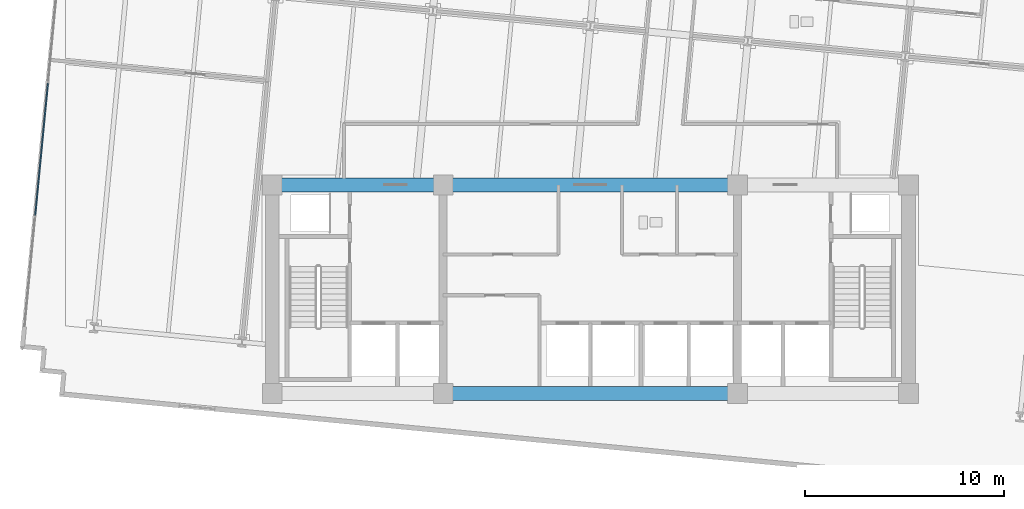
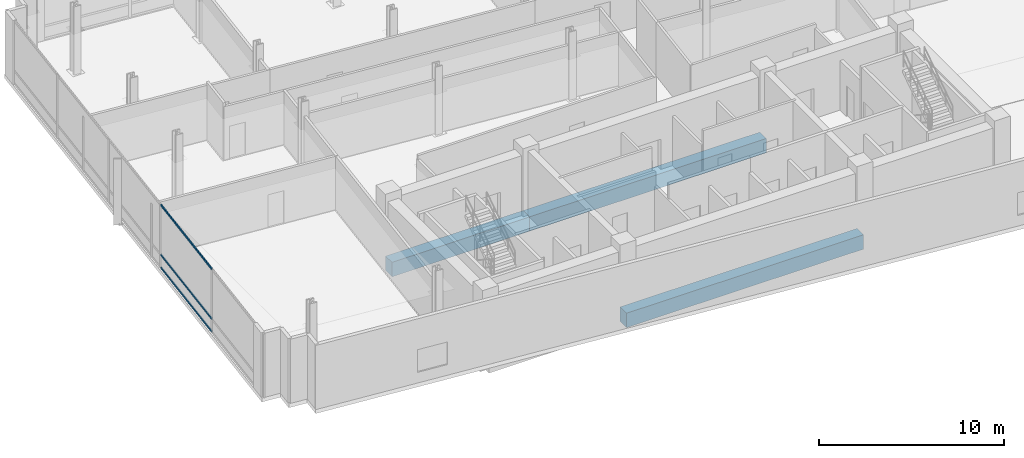
# One storey, part 3 of 17: 3 beams, 3 members, 1 element without a shape of its own.
"""IFC4 building model written with IfcOpenShell, lengths in metres."""

import ifcopenshell
import ifcopenshell.guid

model = None  # the IFC model being written
_history = None  # IfcOwnerHistory: only IFC2X3 demands one
_inside = {}  # id of a spatial element -> (the spatial element, [elements in it])
_under = {}  # id of a project, library or spatial element -> (it, [spatial elements below it])
_declared = {}  # id of a project -> (the project, [libraries it declares])
_typed = {}  # id of a type object -> (the type object, [elements of that type])
_made_of = {}  # id of a material, layer set ... -> (it, [elements and type objects made of it])


def new_model(schema):
    """Start an empty IFC model of exactly this schema.

    Asked for "IFC4X3", IfcOpenShell would pick the latest addendum, in which some entities
    have other attributes; the version numbers below select the first issue.
    IFC2X3 requires an IfcOwnerHistory on every rooted entity: one is made here for all.
    """
    global model, _history
    if schema == "IFC4X3":
        model = ifcopenshell.file(schema_version=(4, 3, 0, 0))
    else:
        model = ifcopenshell.file(schema=schema)
    _inside.clear()
    _under.clear()
    _declared.clear()
    _typed.clear()
    _made_of.clear()
    _history = None
    if model.schema == "IFC2X3":
        org = make("IfcOrganization", Name="unknown")
        user = make(
            "IfcPersonAndOrganization",
            ThePerson=make("IfcPerson", FamilyName="unknown"),
            TheOrganization=org,
        )
        app = make(
            "IfcApplication",
            ApplicationDeveloper=org,
            Version="unknown",
            ApplicationFullName="unknown",
            ApplicationIdentifier="unknown",
        )
        _history = make(
            "IfcOwnerHistory",
            OwningUser=user,
            OwningApplication=app,
            ChangeAction="ADDED",
            CreationDate=0,
        )
    return model


def make(cls, **values):
    """One entity of the class cls with the attributes given. An attribute that is None is left unset."""
    return model.create_entity(
        cls, **{name: value for name, value in values.items() if value is not None}
    )


def rooted(cls, **values):
    """An entity with a GlobalId (a new one), such as an element, a storey or a relation."""
    return make(cls, GlobalId=ifcopenshell.guid.new(), OwnerHistory=_history, **values)


def si_unit(unit_type, name, prefix=None):
    """IfcSIUnit, for example si_unit("LENGTHUNIT", "METRE", prefix="MILLI")."""
    return make("IfcSIUnit", UnitType=unit_type, Prefix=prefix, Name=name)


def assignment(units):
    """IfcUnitAssignment: the units of a project."""
    return None if units is None else make("IfcUnitAssignment", Units=units)


def point(xyz):
    """IfcCartesianPoint."""
    return None if xyz is None else make("IfcCartesianPoint", Coordinates=xyz)


def direction(xyz):
    """IfcDirection."""
    return None if xyz is None else make("IfcDirection", DirectionRatios=xyz)


def frame(location, z_axis=None, x_axis=None):
    """IfcAxis2Placement3D, a coordinate frame: its origin and axes. An axis left out is left unset."""
    return make(
        "IfcAxis2Placement3D",
        Location=point(location),
        Axis=direction(z_axis),
        RefDirection=direction(x_axis),
    )


def frame_2d(location, x_axis=None):
    """IfcAxis2Placement2D, a coordinate frame in the plane: its origin and x axis."""
    return make(
        "IfcAxis2Placement2D", Location=point(location), RefDirection=direction(x_axis)
    )


def origin():
    """The frame at (0, 0, 0) with its axes left unset."""
    return frame((0.0, 0.0, 0.0))


def origin_2d():
    """The frame at (0, 0) in the plane with its x axis left unset."""
    return frame_2d((0.0, 0.0))


def place(relative_to, where):
    """IfcLocalPlacement: puts the frame where relative to a parent placement (None: the world)."""
    return make(
        "IfcLocalPlacement", PlacementRelTo=relative_to, RelativePlacement=where
    )


def context(
    kind, dimensions, precision=None, world=None, true_north=None, identifier=None
):
    """IfcGeometricRepresentationContext, for example the 3D "Model" context."""
    return make(
        "IfcGeometricRepresentationContext",
        ContextIdentifier=identifier,
        ContextType=kind,
        CoordinateSpaceDimension=dimensions,
        Precision=precision,
        WorldCoordinateSystem=world,
        TrueNorth=true_north,
    )


def subcontext(parent, identifier, kind, view, scale=None):
    """IfcGeometricRepresentationSubContext, for example "Body" below "Model"."""
    return make(
        "IfcGeometricRepresentationSubContext",
        ContextIdentifier=identifier,
        ContextType=kind,
        ParentContext=parent,
        TargetScale=scale,
        TargetView=view,
    )


def project(units=None, contexts=None):
    """IfcProject with its units and contexts."""
    return rooted(
        "IfcProject",
        Name="project",
        RepresentationContexts=contexts,
        UnitsInContext=assignment(units),
    )


def spatial(cls, under=None, at=None, **own):
    """A site, building, storey or space (cls), placed at a placement, below another one or the project."""
    s = rooted(cls, ObjectPlacement=at, **own)
    if under is not None:
        _under.setdefault(under.id(), (under, []))[1].append(s)
    return s


def profile(cls, at=None, kind="AREA", **sizes):
    """A parametric profile (cls). Its sizes go by their IFC names, for example OverallWidth=200.0."""
    return make(cls, ProfileType=kind, Position=at, **sizes)


def rectangle(**sizes):
    """IfcRectangleProfileDef."""
    return profile("IfcRectangleProfileDef", **sizes)


def extrude(swept, where, along, depth):
    """IfcExtrudedAreaSolid: the profile swept, set in the frame where, extruded along a direction by depth."""
    return make(
        "IfcExtrudedAreaSolid",
        SweptArea=swept,
        Position=where,
        ExtrudedDirection=direction(along),
        Depth=depth,
    )


def shape(context_of_items, identifier, shape_type, items):
    """IfcShapeRepresentation: the items that make up one representation, for example the "Body"."""
    return make(
        "IfcShapeRepresentation",
        ContextOfItems=context_of_items,
        RepresentationIdentifier=identifier,
        RepresentationType=shape_type,
        Items=items,
    )


def material(Name=None, Category=None):
    """IfcMaterial."""
    return make("IfcMaterial", Name=Name, Category=Category)


def material_profile(
    of_material, cross_section, Name=None, Category=None, Priority=None
):
    """IfcMaterialProfile: a cross section and its material."""
    return make(
        "IfcMaterialProfile",
        Name=Name,
        Material=of_material,
        Profile=cross_section,
        Priority=Priority,
        Category=Category,
    )


def profile_set(profiles, Name=None, composite=None):
    """IfcMaterialProfileSet."""
    return make(
        "IfcMaterialProfileSet",
        Name=Name,
        MaterialProfiles=profiles,
        CompositeProfile=composite,
    )


def made_of(thing, what):
    """Note that an element or type object is made of a material, layer set ...; save() writes the relation."""
    if what is not None:
        _made_of.setdefault(what.id(), (what, []))[1].append(thing)
    return thing


def type_object(cls, material=None, **own):
    """A type object (cls), such as IfcWallType, which elements share."""
    return made_of(rooted(cls, **own), material)


def element(
    cls,
    number,
    at=None,
    inside=None,
    cuts=None,
    type_object=None,
    material=None,
    context=None,
    identifier="Body",
    shape_type=None,
    held_by="IfcProductDefinitionShape",
    body=None,
    shapes=None,
    **own,
):
    """One element of the class cls, such as IfcWall. Its Tag is "e" and its number.

    at: its placement. inside: the storey or other place that contains it. cuts: it is an
    opening in that element (IfcRelVoidsElement). A single representation is given by context,
    identifier, shape_type and body (its items); several are given by shapes. held_by: the class
    of the entity that holds the representations. save() writes the other relations.
    """
    e = rooted(cls, Tag="e%d" % number, ObjectPlacement=at, **own)
    if body is not None:
        shapes = [shape(context, identifier, shape_type, body)]
    if shapes is not None:
        e.Representation = make(held_by, Representations=shapes)
    if inside is not None:
        _inside.setdefault(inside.id(), (inside, []))[1].append(e)
    if cuts is not None:
        rooted(
            "IfcRelVoidsElement", RelatingBuildingElement=cuts, RelatedOpeningElement=e
        )
    if type_object is not None:
        _typed.setdefault(type_object.id(), (type_object, []))[1].append(e)
    return made_of(e, material)


def aggregate(whole, parts):
    """IfcRelAggregates: a whole, such as a stair, and the parts it consists of."""
    return rooted("IfcRelAggregates", RelatingObject=whole, RelatedObjects=parts)


def save(model, path):
    """Write the relations noted so far, then the file.

    IfcRelAggregates (storeys below a building ...), IfcRelContainedInSpatialStructure (elements
    in a storey), IfcRelDefinesByType, IfcRelAssociatesMaterial and IfcRelDeclares: one each for
    every whole, place, type object, material and project.
    """
    for whole, parts in _under.values():
        aggregate(whole, parts)
    for where, things in _inside.values():
        rooted(
            "IfcRelContainedInSpatialStructure",
            RelatedElements=things,
            RelatingStructure=where,
        )
    for kind, things in _typed.values():
        rooted("IfcRelDefinesByType", RelatedObjects=things, RelatingType=kind)
    for what, things in _made_of.values():
        rooted("IfcRelAssociatesMaterial", RelatedObjects=things, RelatingMaterial=what)
    for by, libraries in _declared.values():
        rooted("IfcRelDeclares", RelatingContext=by, RelatedDefinitions=libraries)
    model.write(path)


model = new_model("IFC4")

# Units and contexts
model_context = context("Model", 3, precision=1e-05, world=origin(), true_north=direction((0.0, 1.0)))
body_context = subcontext(model_context, "Body", "Model", "MODEL_VIEW")
ifc_project = project(units=[si_unit("LENGTHUNIT", "METRE"), si_unit("AREAUNIT", "SQUARE_METRE"), si_unit("VOLUMEUNIT", "CUBIC_METRE"), si_unit("PLANEANGLEUNIT", "RADIAN"), si_unit("MASSUNIT", "GRAM", prefix="KILO")], contexts=[model_context])

# Site, building, storey
site_placement = place(None, origin())
site = spatial("IfcSite", under=ifc_project, at=site_placement, CompositionType="ELEMENT")
building_placement = place(site_placement, origin())
building = spatial("IfcBuilding", under=site, at=building_placement, Name="Solmavex Isthmus Hotel", CompositionType="ELEMENT")
storey_placement = place(building_placement, frame((0.0, 0.0, 177.300048828125)))
storey = spatial("IfcBuildingStorey", under=building, at=storey_placement, Name="L48", CompositionType="ELEMENT", Elevation=177.300048828125)

# Beams
ifc_material_1 = material(Name="Concrete C60/75", Category="concrete")
ifc_material_profile_1 = material_profile(ifc_material_1, rectangle(XDim=0.699951171875, YDim=0.949951171875, at=origin_2d()), Name="RC700X950")
ifc_profile_set_1 = profile_set([ifc_material_profile_1], Name="Concrete C60/75")
beam_type = type_object("IfcBeamType", Name="BM-CB-700X950", PredefinedType="BEAM", material=ifc_profile_set_1)
beam_1_placement = place(storey_placement, frame((-7.39990234375, -13.0, -0.735107421875), z_axis=(1.0, 0.0, 0.0), x_axis=(0.0, 1.0, 0.0)))
element("IfcBeam", 1, at=beam_1_placement, inside=storey, type_object=beam_type, Name="Core Coupling Beam L48-CB2", PredefinedType="BEAM", context=body_context, shape_type="SweptSolid", body=[
    extrude(rectangle(XDim=0.699951171875, YDim=0.949951171875, at=origin_2d()), origin(), (0.0, 0.0, 1.0), 14.7998046875),
])
beam_2_placement = place(storey_placement, frame((-16.0, -2.5, -0.735107421875), z_axis=(1.0, 0.0, 0.0), x_axis=(0.0, 1.0, 0.0)))
element("IfcBeam", 2, at=beam_2_placement, inside=storey, type_object=beam_type, Name="Core Coupling Beam L48-CB4", PredefinedType="BEAM", context=body_context, shape_type="SweptSolid", body=[
    extrude(rectangle(XDim=0.699951171875, YDim=0.949951171875, at=origin_2d()), origin(), (0.0, 0.0, 1.0), 8.60009765625),
])
beam_3_placement = place(storey_placement, frame((-7.39990234375, -2.5, -0.735107421875), z_axis=(1.0, 0.0, 0.0), x_axis=(0.0, 1.0, 0.0)))
element("IfcBeam", 3, at=beam_3_placement, inside=storey, type_object=beam_type, Name="Core Coupling Beam L48-CB5", PredefinedType="BEAM", context=body_context, shape_type="SweptSolid", body=[
    extrude(rectangle(XDim=0.699951171875, YDim=0.949951171875, at=origin_2d()), origin(), (0.0, 0.0, 1.0), 14.7998046875),
])

# Curtain wall, members
ifc_material_2 = material(Name="Aluminium alloy 6063-T6", Category="aluminium")
curtain_wall_type = type_object("IfcCurtainWallType", Name="CW-SYS-05", PredefinedType="NOTDEFINED", material=ifc_material_2)
curtain_wall_placement = place(storey_placement, origin())
curtain_wall = element("IfcCurtainWall", 4, at=curtain_wall_placement, inside=storey, type_object=curtain_wall_type, Name="Stick Curtain Wall CWL-L48-W1", PredefinedType="NOTDEFINED")
ifc_material_profile_2 = material_profile(ifc_material_2, rectangle(XDim=0.06494140625, YDim=0.125, at=origin_2d()), Name="CWT-65X125")
ifc_profile_set_2 = profile_set([ifc_material_profile_2], Name="Aluminium alloy 6063-T6")
member_type = type_object("IfcMemberType", Name="CW-SYS-05-TRN", PredefinedType="USERDEFINED", material=ifc_profile_set_2)
member_1_placement = place(storey_placement, frame((-27.919189453125, -4.02490234375, 0.0625), z_axis=(0.095823552608, 0.995398335726, 0.0), x_axis=(-0.995398335726, 0.095823552608, 0.0)))
member_1 = element("IfcMember", 5, at=member_1_placement, type_object=member_type, Name="CW-05 transom 2.1", ObjectType="TRANSOM", PredefinedType="USERDEFINED", context=body_context, shape_type="SweptSolid", body=[
    extrude(rectangle(XDim=0.06494140625, YDim=0.125, at=origin_2d()), origin(), (0.0, 0.0, 1.0), 6.65478515625),
])
member_2_placement = place(storey_placement, frame((-27.919189453125, -4.02490234375, 0.89990234375), z_axis=(0.095823552608, 0.995398335726, 0.0), x_axis=(-0.995398335726, 0.095823552608, 0.0)))
member_2 = element("IfcMember", 6, at=member_2_placement, type_object=member_type, Name="CW-05 transom 2.2", ObjectType="TRANSOM", PredefinedType="USERDEFINED", context=body_context, shape_type="SweptSolid", body=[
    extrude(rectangle(XDim=0.06494140625, YDim=0.125, at=origin_2d()), origin(), (0.0, 0.0, 1.0), 6.65478515625),
])
member_3_placement = place(storey_placement, frame((-27.919189453125, -4.02490234375, 4.177490234375), z_axis=(0.095823552608, 0.995398335726, 0.0), x_axis=(-0.995398335726, 0.095823552608, 0.0)))
member_3 = element("IfcMember", 7, at=member_3_placement, type_object=member_type, Name="CW-05 transom 2.3", ObjectType="TRANSOM", PredefinedType="USERDEFINED", context=body_context, shape_type="SweptSolid", body=[
    extrude(rectangle(XDim=0.06494140625, YDim=0.125, at=origin_2d()), origin(), (0.0, 0.0, 1.0), 6.65478515625),
])
aggregate(curtain_wall, [member_1, member_2, member_3])

save(model, "model.ifc")
